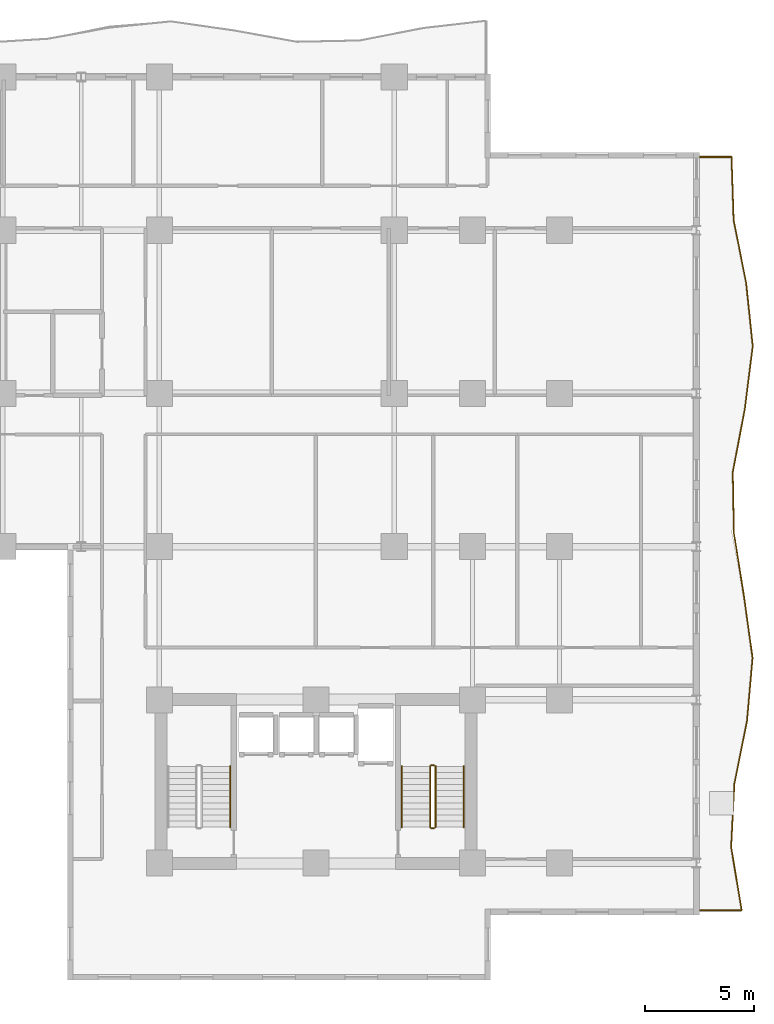
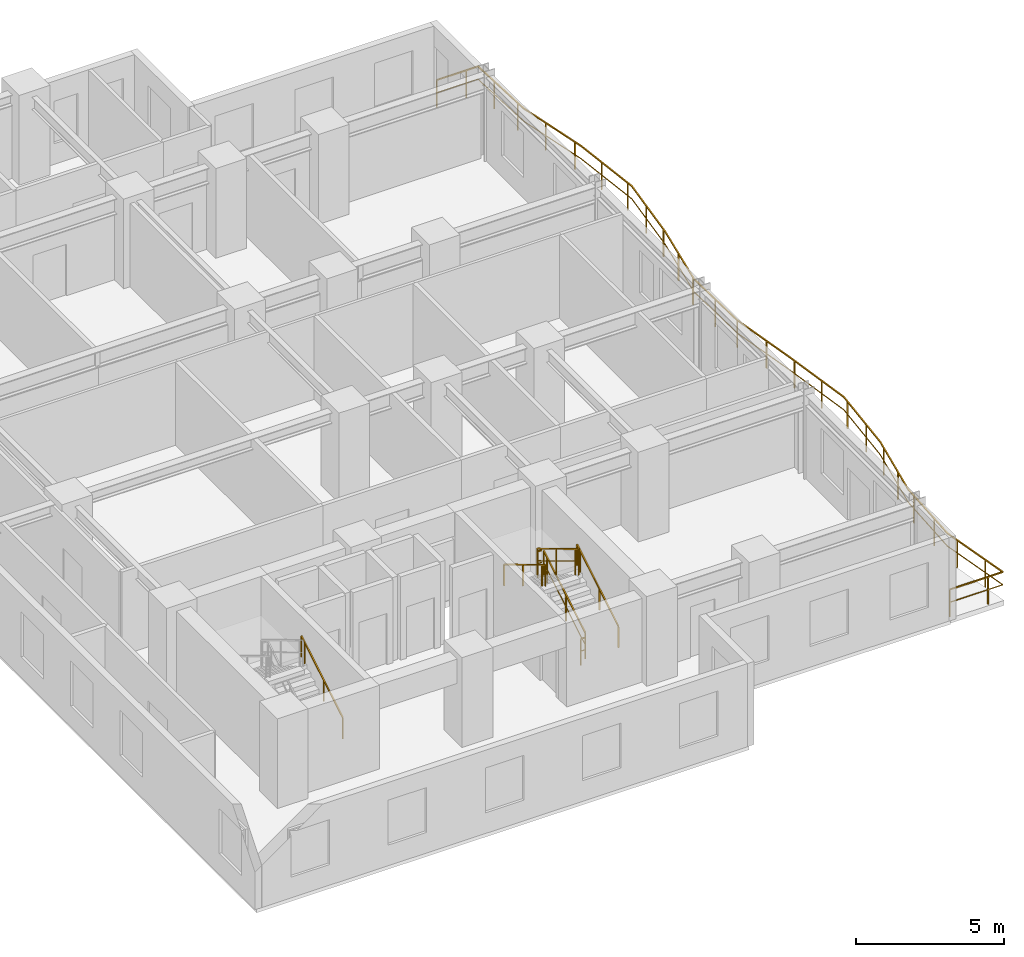
# One storey, part 16 of 17: 8 railings.
"""IFC4 building model written with IfcOpenShell, lengths in metres."""

from ifc_helpers import new_model, si_unit, direction, frame, origin, origin_2d, place, context, subcontext, project, spatial, rectangle, extrude, material, type_object, element, save


model = new_model("IFC4")

# Units and contexts
model_context = context("Model", 3, precision=1e-05, world=origin(), true_north=direction((0.0, 1.0)))
body_context = subcontext(model_context, "Body", "Model", "MODEL_VIEW")
ifc_project = project(units=[si_unit("LENGTHUNIT", "METRE"), si_unit("AREAUNIT", "SQUARE_METRE"), si_unit("VOLUMEUNIT", "CUBIC_METRE"), si_unit("PLANEANGLEUNIT", "RADIAN"), si_unit("MASSUNIT", "GRAM", prefix="KILO")], contexts=[model_context])

# Site, building, storey
site_placement = place(None, origin())
site = spatial("IfcSite", under=ifc_project, at=site_placement, CompositionType="ELEMENT")
building_placement = place(site_placement, origin())
building = spatial("IfcBuilding", under=site, at=building_placement, Name="Kaliganga Portal Commons", CompositionType="ELEMENT")
storey_placement = place(building_placement, frame((0.0, 0.0, 108.199951171875)))
storey = spatial("IfcBuildingStorey", under=building, at=storey_placement, Name="L27", CompositionType="ELEMENT", Elevation=108.199951171875)

# Railings
ifc_material_1 = material(Name="Laminated Safety Glass and Stainless Steel 316", Category="steel")
railing_type_1 = type_object("IfcRailingType", Name="RLG-BAL-1150", PredefinedType="BALUSTRADE", material=ifc_material_1)
railing_1_placement = place(storey_placement, frame((60.7080078125, 4.879638671875, 0.0)))
element("IfcRailing", 1, at=railing_1_placement, inside=storey, type_object=railing_type_1, Name="Balcony Guardrail L27 balc_east", PredefinedType="BALUSTRADE", context=body_context, shape_type="SweptSolid", body=[
    extrude(rectangle(XDim=0.048095703125, YDim=0.048095703125, at=origin_2d()), frame((0.0, 0.0, 1.1259765625), z_axis=(0.999999993065, 0.000117771758, 0.0), x_axis=(-0.000117771758, 0.999999993065, 0.0)), (0.0, 0.0, 1.0), 2.072998046875),
    extrude(rectangle(XDim=0.028076171875, YDim=0.028076171875, at=origin_2d()), frame((0.0, 0.0, 0.597900390625), z_axis=(0.999999993065, 0.000117771758, 0.0), x_axis=(-0.000117771758, 0.999999993065, 0.0)), (0.0, 0.0, 1.0), 2.072998046875),
    extrude(rectangle(XDim=0.048095703125, YDim=0.048095703125, at=origin_2d()), frame((2.072998046875, 0.000244140625, 1.1259765625), z_axis=(-0.164250862083, 0.986418599939, 0.0), x_axis=(-0.986418599939, -0.164250862083, 0.0)), (0.0, 0.0, 1.0), 2.940185546875),
    extrude(rectangle(XDim=0.028076171875, YDim=0.028076171875, at=origin_2d()), frame((2.072998046875, 0.000244140625, 0.597900390625), z_axis=(-0.164250862083, 0.986418599939, 0.0), x_axis=(-0.986418599939, -0.164250862083, 0.0)), (0.0, 0.0, 1.0), 2.940185546875),
    extrude(rectangle(XDim=0.048095703125, YDim=0.048095703125, at=origin_2d()), frame((1.590087890625, 2.900390625, 1.1259765625), z_axis=(0.050281493622, 0.998735085695, 0.0), x_axis=(-0.998735085695, 0.050281493622, 0.0)), (0.0, 0.0, 1.0), 2.903564453125),
    extrude(rectangle(XDim=0.028076171875, YDim=0.028076171875, at=origin_2d()), frame((1.590087890625, 2.900390625, 0.597900390625), z_axis=(0.050281493622, 0.998735085695, 0.0), x_axis=(-0.998735085695, 0.050281493622, 0.0)), (0.0, 0.0, 1.0), 2.903564453125),
    extrude(rectangle(XDim=0.048095703125, YDim=0.048095703125, at=origin_2d()), frame((1.736083984375, 5.80029296875, 1.1259765625), z_axis=(0.196862129019, 0.980431181755, 0.0), x_axis=(-0.980431181755, 0.196862129019, 0.0)), (0.0, 0.0, 1.0), 2.957763671875),
    extrude(rectangle(XDim=0.028076171875, YDim=0.028076171875, at=origin_2d()), frame((1.736083984375, 5.80029296875, 0.597900390625), z_axis=(0.196862129019, 0.980431181755, 0.0), x_axis=(-0.980431181755, 0.196862129019, 0.0)), (0.0, 0.0, 1.0), 2.957763671875),
    extrude(rectangle(XDim=0.048095703125, YDim=0.048095703125, at=origin_2d()), frame((2.318359375, 8.7001953125, 1.1259765625), z_axis=(0.08815328178, 0.996106921425, 0.0), x_axis=(-0.996106921425, 0.08815328178, 0.0)), (0.0, 0.0, 1.0), 2.91064453125),
    extrude(rectangle(XDim=0.028076171875, YDim=0.028076171875, at=origin_2d()), frame((2.318359375, 8.7001953125, 0.597900390625), z_axis=(0.08815328178, 0.996106921425, 0.0), x_axis=(-0.996106921425, 0.08815328178, 0.0)), (0.0, 0.0, 1.0), 2.91064453125),
    extrude(rectangle(XDim=0.048095703125, YDim=0.048095703125, at=origin_2d()), frame((2.574951171875, 11.599609375, 1.1259765625), z_axis=(-0.138245485222, 0.990397993645, 0.0), x_axis=(-0.990397993645, -0.138245485222, 0.0)), (0.0, 0.0, 1.0), 2.927978515625),
    extrude(rectangle(XDim=0.028076171875, YDim=0.028076171875, at=origin_2d()), frame((2.574951171875, 11.599609375, 0.597900390625), z_axis=(-0.138245485222, 0.990397993645, 0.0), x_axis=(-0.990397993645, -0.138245485222, 0.0)), (0.0, 0.0, 1.0), 2.927978515625),
    extrude(rectangle(XDim=0.048095703125, YDim=0.048095703125, at=origin_2d()), frame((2.170166015625, 14.49951171875, 1.1259765625), z_axis=(-0.158520410639, 0.987355700551, 0.0), x_axis=(-0.987355700551, -0.158520410639, 0.0)), (0.0, 0.0, 1.0), 2.85693359375),
    extrude(rectangle(XDim=0.028076171875, YDim=0.028076171875, at=origin_2d()), frame((2.170166015625, 14.49951171875, 0.597900390625), z_axis=(-0.158520410639, 0.987355700551, 0.0), x_axis=(-0.987355700551, -0.158520410639, 0.0)), (0.0, 0.0, 1.0), 2.85693359375),
    extrude(rectangle(XDim=0.048095703125, YDim=0.048095703125, at=origin_2d()), frame((1.71728515625, 17.3203125, 1.1259765625), z_axis=(-0.018782938097, 0.999823585057, 0.0), x_axis=(-0.999823585057, -0.018782938097, 0.0)), (0.0, 0.0, 1.0), 2.820556640625),
    extrude(rectangle(XDim=0.028076171875, YDim=0.028076171875, at=origin_2d()), frame((1.71728515625, 17.3203125, 0.597900390625), z_axis=(-0.018782938097, 0.999823585057, 0.0), x_axis=(-0.999823585057, -0.018782938097, 0.0)), (0.0, 0.0, 1.0), 2.820556640625),
    extrude(rectangle(XDim=0.048095703125, YDim=0.048095703125, at=origin_2d()), frame((1.664306640625, 20.140380859375, 1.1259765625), z_axis=(0.18728308531, 0.982305983875, 0.0), x_axis=(-0.982305983875, 0.18728308531, 0.0)), (0.0, 0.0, 1.0), 2.95263671875),
    extrude(rectangle(XDim=0.028076171875, YDim=0.028076171875, at=origin_2d()), frame((1.664306640625, 20.140380859375, 0.597900390625), z_axis=(0.18728308531, 0.982305983875, 0.0), x_axis=(-0.982305983875, 0.18728308531, 0.0)), (0.0, 0.0, 1.0), 2.95263671875),
    extrude(rectangle(XDim=0.048095703125, YDim=0.048095703125, at=origin_2d()), frame((2.21728515625, 23.040771484375, 1.1259765625), z_axis=(0.125206592581, 0.99213069158, 0.0), x_axis=(-0.99213069158, 0.125206592581, 0.0)), (0.0, 0.0, 1.0), 2.9228515625),
    extrude(rectangle(XDim=0.028076171875, YDim=0.028076171875, at=origin_2d()), frame((2.21728515625, 23.040771484375, 0.597900390625), z_axis=(0.125206592581, 0.99213069158, 0.0), x_axis=(-0.99213069158, 0.125206592581, 0.0)), (0.0, 0.0, 1.0), 2.9228515625),
    extrude(rectangle(XDim=0.048095703125, YDim=0.048095703125, at=origin_2d()), frame((2.583251953125, 25.940673828125, 1.1259765625), z_axis=(-0.103581923276, 0.994620925363, 0.0), x_axis=(-0.994620925363, -0.103581923276, 0.0)), (0.0, 0.0, 1.0), 2.91552734375),
    extrude(rectangle(XDim=0.028076171875, YDim=0.028076171875, at=origin_2d()), frame((2.583251953125, 25.940673828125, 0.597900390625), z_axis=(-0.103581923276, 0.994620925363, 0.0), x_axis=(-0.994620925363, -0.103581923276, 0.0)), (0.0, 0.0, 1.0), 2.91552734375),
    extrude(rectangle(XDim=0.048095703125, YDim=0.048095703125, at=origin_2d()), frame((2.28125, 28.840576171875, 1.1259765625), z_axis=(-0.195036222129, 0.980796039989, 0.0), x_axis=(-0.980796039989, -0.195036222129, 0.0)), (0.0, 0.0, 1.0), 2.956787109375),
    extrude(rectangle(XDim=0.028076171875, YDim=0.028076171875, at=origin_2d()), frame((2.28125, 28.840576171875, 0.597900390625), z_axis=(-0.195036222129, 0.980796039989, 0.0), x_axis=(-0.980796039989, -0.195036222129, 0.0)), (0.0, 0.0, 1.0), 2.956787109375),
    extrude(rectangle(XDim=0.048095703125, YDim=0.048095703125, at=origin_2d()), frame((1.70458984375, 31.740478515625, 1.1259765625), z_axis=(-0.033740670081, 0.999430621495, 0.0), x_axis=(-0.999430621495, -0.033740670081, 0.0)), (0.0, 0.0, 1.0), 2.901611328125),
    extrude(rectangle(XDim=0.028076171875, YDim=0.028076171875, at=origin_2d()), frame((1.70458984375, 31.740478515625, 0.597900390625), z_axis=(-0.033740670081, 0.999430621495, 0.0), x_axis=(-0.999430621495, -0.033740670081, 0.0)), (0.0, 0.0, 1.0), 2.901611328125),
    extrude(rectangle(XDim=0.048095703125, YDim=0.048095703125, at=origin_2d()), frame((1.606689453125, 34.640380859375, 1.1259765625), z_axis=(-0.999999953821, 0.000303905168, 0.0), x_axis=(-0.000303905168, -0.999999953821, 0.0)), (0.0, 0.0, 1.0), 1.606689453125),
    extrude(rectangle(XDim=0.028076171875, YDim=0.028076171875, at=origin_2d()), frame((1.606689453125, 34.640380859375, 0.597900390625), z_axis=(-0.999999953821, 0.000303905168, 0.0), x_axis=(-0.000303905168, -0.999999953821, 0.0)), (0.0, 0.0, 1.0), 1.606689453125),
    extrude(rectangle(XDim=0.0419921875, YDim=0.0419921875, at=origin_2d()), origin(), (0.0, 0.0, 1.0), 1.101806640625),
    extrude(rectangle(XDim=0.0419921875, YDim=0.0419921875, at=origin_2d()), frame((1.5, 0.000244140625, 0.0)), (0.0, 0.0, 1.0), 1.101806640625),
    extrude(rectangle(XDim=0.0419921875, YDim=0.0419921875, at=origin_2d()), frame((1.920654296875, 0.91455078125, 0.0)), (0.0, 0.0, 1.0), 1.101806640625),
    extrude(rectangle(XDim=0.0419921875, YDim=0.0419921875, at=origin_2d()), frame((1.67431640625, 2.394287109375, 0.0)), (0.0, 0.0, 1.0), 1.101806640625),
    extrude(rectangle(XDim=0.0419921875, YDim=0.0419921875, at=origin_2d()), frame((1.6396484375, 3.885986328125, 0.0)), (0.0, 0.0, 1.0), 1.101806640625),
    extrude(rectangle(XDim=0.0419921875, YDim=0.0419921875, at=origin_2d()), frame((1.715087890625, 5.38427734375, 0.0)), (0.0, 0.0, 1.0), 1.101806640625),
    extrude(rectangle(XDim=0.0419921875, YDim=0.0419921875, at=origin_2d()), frame((1.949462890625, 6.862548828125, 0.0)), (0.0, 0.0, 1.0), 1.101806640625),
    extrude(rectangle(XDim=0.0419921875, YDim=0.0419921875, at=origin_2d()), frame((2.24462890625, 8.3330078125, 0.0)), (0.0, 0.0, 1.0), 1.101806640625),
    extrude(rectangle(XDim=0.0419921875, YDim=0.0419921875, at=origin_2d()), frame((2.41748046875, 9.8212890625, 0.0)), (0.0, 0.0, 1.0), 1.101806640625),
    extrude(rectangle(XDim=0.0419921875, YDim=0.0419921875, at=origin_2d()), frame((2.5498046875, 11.3154296875, 0.0)), (0.0, 0.0, 1.0), 1.101806640625),
    extrude(rectangle(XDim=0.0419921875, YDim=0.0419921875, at=origin_2d()), frame((2.406982421875, 12.802734375, 0.0)), (0.0, 0.0, 1.0), 1.101806640625),
    extrude(rectangle(XDim=0.0419921875, YDim=0.0419921875, at=origin_2d()), frame((2.19970703125, 14.288330078125, 0.0)), (0.0, 0.0, 1.0), 1.101806640625),
    extrude(rectangle(XDim=0.0419921875, YDim=0.0419921875, at=origin_2d()), frame((1.966064453125, 15.77001953125, 0.0)), (0.0, 0.0, 1.0), 1.101806640625),
    extrude(rectangle(XDim=0.0419921875, YDim=0.0419921875, at=origin_2d()), frame((1.71728515625, 17.3203125, 0.0)), (0.0, 0.0, 1.0), 1.101806640625),
    extrude(rectangle(XDim=0.0419921875, YDim=0.0419921875, at=origin_2d()), frame((1.6904296875, 18.75, 0.0)), (0.0, 0.0, 1.0), 1.101806640625),
    extrude(rectangle(XDim=0.0419921875, YDim=0.0419921875, at=origin_2d()), frame((1.684814453125, 20.247802734375, 0.0)), (0.0, 0.0, 1.0), 1.101806640625),
    extrude(rectangle(XDim=0.0419921875, YDim=0.0419921875, at=origin_2d()), frame((1.9658203125, 21.72119140625, 0.0)), (0.0, 0.0, 1.0), 1.101806640625),
    extrude(rectangle(XDim=0.0419921875, YDim=0.0419921875, at=origin_2d()), frame((2.23681640625, 23.1962890625, 0.0)), (0.0, 0.0, 1.0), 1.101806640625),
    extrude(rectangle(XDim=0.0419921875, YDim=0.0419921875, at=origin_2d()), frame((2.4248046875, 24.684326171875, 0.0)), (0.0, 0.0, 1.0), 1.101806640625),
    extrude(rectangle(XDim=0.0419921875, YDim=0.0419921875, at=origin_2d()), frame((2.55908203125, 26.173095703125, 0.0)), (0.0, 0.0, 1.0), 1.101806640625),
    extrude(rectangle(XDim=0.0419921875, YDim=0.0419921875, at=origin_2d()), frame((2.403564453125, 27.6650390625, 0.0)), (0.0, 0.0, 1.0), 1.101806640625),
    extrude(rectangle(XDim=0.0419921875, YDim=0.0419921875, at=origin_2d()), frame((2.21923828125, 29.152587890625, 0.0)), (0.0, 0.0, 1.0), 1.101806640625),
    extrude(rectangle(XDim=0.0419921875, YDim=0.0419921875, at=origin_2d()), frame((1.9267578125, 30.623779296875, 0.0)), (0.0, 0.0, 1.0), 1.101806640625),
    extrude(rectangle(XDim=0.0419921875, YDim=0.0419921875, at=origin_2d()), frame((1.6923828125, 32.101806640625, 0.0)), (0.0, 0.0, 1.0), 1.101806640625),
    extrude(rectangle(XDim=0.0419921875, YDim=0.0419921875, at=origin_2d()), frame((1.641845703125, 33.600830078125, 0.0)), (0.0, 0.0, 1.0), 1.101806640625),
    extrude(rectangle(XDim=0.0419921875, YDim=0.0419921875, at=origin_2d()), frame((1.146728515625, 34.640625, 0.0)), (0.0, 0.0, 1.0), 1.101806640625),
    extrude(rectangle(XDim=0.0419921875, YDim=0.0419921875, at=origin_2d()), frame((0.0, 34.640869140625, 0.0)), (0.0, 0.0, 1.0), 1.101806640625),
])
ifc_material_2 = material(Name="Galvanized Painted Steel Balustrade", Category="steel")
railing_type_2 = type_object("IfcRailingType", Name="RLG-STAIR-GRD", PredefinedType="GUARDRAIL", material=ifc_material_2)
railing_2_placement = place(storey_placement, frame((48.699951171875, 8.699951171875, 0.168212890625)))
element("IfcRailing", 2, at=railing_2_placement, inside=storey, type_object=railing_type_2, Name="L27 ST-B2 stair guard 1", PredefinedType="GUARDRAIL", context=body_context, shape_type="SweptSolid", body=[
    extrude(rectangle(XDim=0.048095703125, YDim=0.048095703125, at=origin_2d()), frame((0.0, 0.0, 1.072021484375), z_axis=(0.0, 0.857242210791, 0.514913383045), x_axis=(-1.0, 0.0, 0.0)), (0.0, 0.0, 1.0), 3.266357421875),
    extrude(rectangle(XDim=0.028076171875, YDim=0.028076171875, at=origin_2d()), frame((0.0, 0.0, 0.572021484375), z_axis=(0.0, 0.857242210791, 0.514913383045), x_axis=(-1.0, 0.0, 0.0)), (0.0, 0.0, 1.0), 3.266357421875),
    extrude(rectangle(XDim=0.0419921875, YDim=0.0419921875, at=origin_2d()), origin(), (0.0, 0.0, 1.0), 1.052001953125),
    extrude(rectangle(XDim=0.0419921875, YDim=0.0419921875, at=origin_2d()), frame((0.0, 1.285888671875, 0.7724609375)), (0.0, 0.0, 1.0), 1.052001953125),
    extrude(rectangle(XDim=0.0419921875, YDim=0.0419921875, at=origin_2d()), frame((0.0, 2.57177734375, 1.544677734375)), (0.0, 0.0, 1.0), 1.052001953125),
    extrude(rectangle(XDim=0.0419921875, YDim=0.0419921875, at=origin_2d()), frame((0.0, 2.800048828125, 1.681884765625)), (0.0, 0.0, 1.0), 1.052001953125),
])
railing_3_placement = place(storey_placement, frame((48.64990234375, 11.550048828125, 1.85009765625)))
element("IfcRailing", 3, at=railing_3_placement, inside=storey, type_object=railing_type_2, Name="L27 ST-B2 stair guard 2", PredefinedType="GUARDRAIL", context=body_context, shape_type="SweptSolid", body=[
    extrude(rectangle(XDim=0.048095703125, YDim=0.048095703125, at=origin_2d()), frame((0.0, 0.0, 1.076171875), z_axis=(-1.0, 0.0, 0.0), x_axis=(0.0, -1.0, 0.0)), (0.0, 0.0, 1.0), 0.14990234375),
    extrude(rectangle(XDim=0.028076171875, YDim=0.028076171875, at=origin_2d()), frame((0.0, 0.0, 0.572021484375), z_axis=(-1.0, 0.0, 0.0), x_axis=(0.0, -1.0, 0.0)), (0.0, 0.0, 1.0), 0.14990234375),
    extrude(rectangle(XDim=0.0419921875, YDim=0.0419921875, at=origin_2d()), frame((-0.14990234375, 0.0, 0.0)), (0.0, 0.0, 1.0), 1.052001953125),
])
railing_4_placement = place(storey_placement, frame((48.449951171875, 11.5, 2.018310546875)))
element("IfcRailing", 4, at=railing_4_placement, inside=storey, type_object=railing_type_2, Name="L27 ST-B2 stair guard 3", PredefinedType="GUARDRAIL", context=body_context, shape_type="SweptSolid", body=[
    extrude(rectangle(XDim=0.048095703125, YDim=0.048095703125, at=origin_2d()), frame((0.0, 0.0, 1.072021484375), z_axis=(0.0, -0.857275202839, 0.514858452973), x_axis=(1.0, 0.0, 0.0)), (0.0, 0.0, 1.0), 3.26611328125),
    extrude(rectangle(XDim=0.028076171875, YDim=0.028076171875, at=origin_2d()), frame((0.0, 0.0, 0.572021484375), z_axis=(0.0, -0.857275202839, 0.514858452973), x_axis=(1.0, 0.0, 0.0)), (0.0, 0.0, 1.0), 3.26611328125),
    extrude(rectangle(XDim=0.0419921875, YDim=0.0419921875, at=origin_2d()), origin(), (0.0, 0.0, 1.0), 1.052001953125),
    extrude(rectangle(XDim=0.0419921875, YDim=0.0419921875, at=origin_2d()), frame((0.0, -1.285888671875, 0.772216796875)), (0.0, 0.0, 1.0), 1.052001953125),
    extrude(rectangle(XDim=0.0419921875, YDim=0.0419921875, at=origin_2d()), frame((0.0, -2.57177734375, 1.544677734375)), (0.0, 0.0, 1.0), 1.052001953125),
    extrude(rectangle(XDim=0.0419921875, YDim=0.0419921875, at=origin_2d()), frame((0.0, -2.800048828125, 1.681640625)), (0.0, 0.0, 1.0), 1.052001953125),
])
railing_5_placement = place(storey_placement, frame((48.64990234375, 8.64990234375, 0.0)))
element("IfcRailing", 5, at=railing_5_placement, inside=storey, type_object=railing_type_2, Name="L27 ST-B2 stair guard 4", PredefinedType="GUARDRAIL", context=body_context, shape_type="SweptSolid", body=[
    extrude(rectangle(XDim=0.048095703125, YDim=0.048095703125, at=origin_2d()), frame((0.0, 0.0, 1.076171875), z_axis=(-1.0, 0.0, 0.0), x_axis=(0.0, -1.0, 0.0)), (0.0, 0.0, 1.0), 0.14990234375),
    extrude(rectangle(XDim=0.028076171875, YDim=0.028076171875, at=origin_2d()), frame((0.0, 0.0, 0.572021484375), z_axis=(-1.0, 0.0, 0.0), x_axis=(0.0, -1.0, 0.0)), (0.0, 0.0, 1.0), 0.14990234375),
    extrude(rectangle(XDim=0.0419921875, YDim=0.0419921875, at=origin_2d()), frame((-0.14990234375, 0.0, 0.0)), (0.0, 0.0, 1.0), 1.052001953125),
])
ifc_material_3 = material(Name="Brushed Stainless Steel 316", Category="steel")
railing_type_3 = type_object("IfcRailingType", Name="RLG-STAIR-HR", PredefinedType="HANDRAIL", material=ifc_material_3)
for number, where, name in (
    (6, (39.25, 8.699951171875, 0.168212890625), "L27 ST-B1 stair handrail 1"),
    (7, (50.0, 8.699951171875, 0.168212890625), "L27 ST-B2 stair handrail 1"),
):
    element("IfcRailing", number, at=place(storey_placement, frame(where)), inside=storey, type_object=railing_type_3, Name=name, PredefinedType="HANDRAIL", context=body_context, shape_type="SweptSolid", body=[
        extrude(rectangle(XDim=0.048095703125, YDim=0.048095703125, at=origin_2d()), frame((0.0, 0.0, 0.871826171875), z_axis=(0.0, 0.857242210791, 0.514913383045), x_axis=(-1.0, 0.0, 0.0)), (0.0, 0.0, 1.0), 3.266357421875),
        extrude(rectangle(XDim=0.0419921875, YDim=0.0419921875, at=origin_2d()), origin(), (0.0, 0.0, 1.0), 0.851806640625),
        extrude(rectangle(XDim=0.0419921875, YDim=0.0419921875, at=origin_2d()), frame((0.0, 1.285888671875, 0.7724609375)), (0.0, 0.0, 1.0), 0.851806640625),
        extrude(rectangle(XDim=0.0419921875, YDim=0.0419921875, at=origin_2d()), frame((0.0, 2.57177734375, 1.544677734375)), (0.0, 0.0, 1.0), 0.851806640625),
        extrude(rectangle(XDim=0.0419921875, YDim=0.0419921875, at=origin_2d()), frame((0.0, 2.800048828125, 1.681884765625)), (0.0, 0.0, 1.0), 0.851806640625),
    ])
railing_6_placement = place(storey_placement, frame((47.14990234375, 11.5, 2.018310546875)))
element("IfcRailing", 8, at=railing_6_placement, inside=storey, type_object=railing_type_3, Name="L27 ST-B2 stair handrail 2", PredefinedType="HANDRAIL", context=body_context, shape_type="SweptSolid", body=[
    extrude(rectangle(XDim=0.048095703125, YDim=0.048095703125, at=origin_2d()), frame((0.0, 0.0, 0.871826171875), z_axis=(0.0, -0.857275202839, 0.514858452973), x_axis=(1.0, 0.0, 0.0)), (0.0, 0.0, 1.0), 3.26611328125),
    extrude(rectangle(XDim=0.0419921875, YDim=0.0419921875, at=origin_2d()), origin(), (0.0, 0.0, 1.0), 0.851806640625),
    extrude(rectangle(XDim=0.0419921875, YDim=0.0419921875, at=origin_2d()), frame((0.0, -1.285888671875, 0.772216796875)), (0.0, 0.0, 1.0), 0.851806640625),
    extrude(rectangle(XDim=0.0419921875, YDim=0.0419921875, at=origin_2d()), frame((0.0, -2.57177734375, 1.544677734375)), (0.0, 0.0, 1.0), 0.851806640625),
    extrude(rectangle(XDim=0.0419921875, YDim=0.0419921875, at=origin_2d()), frame((0.0, -2.800048828125, 1.681640625)), (0.0, 0.0, 1.0), 0.851806640625),
])

save(model, "model.ifc")
